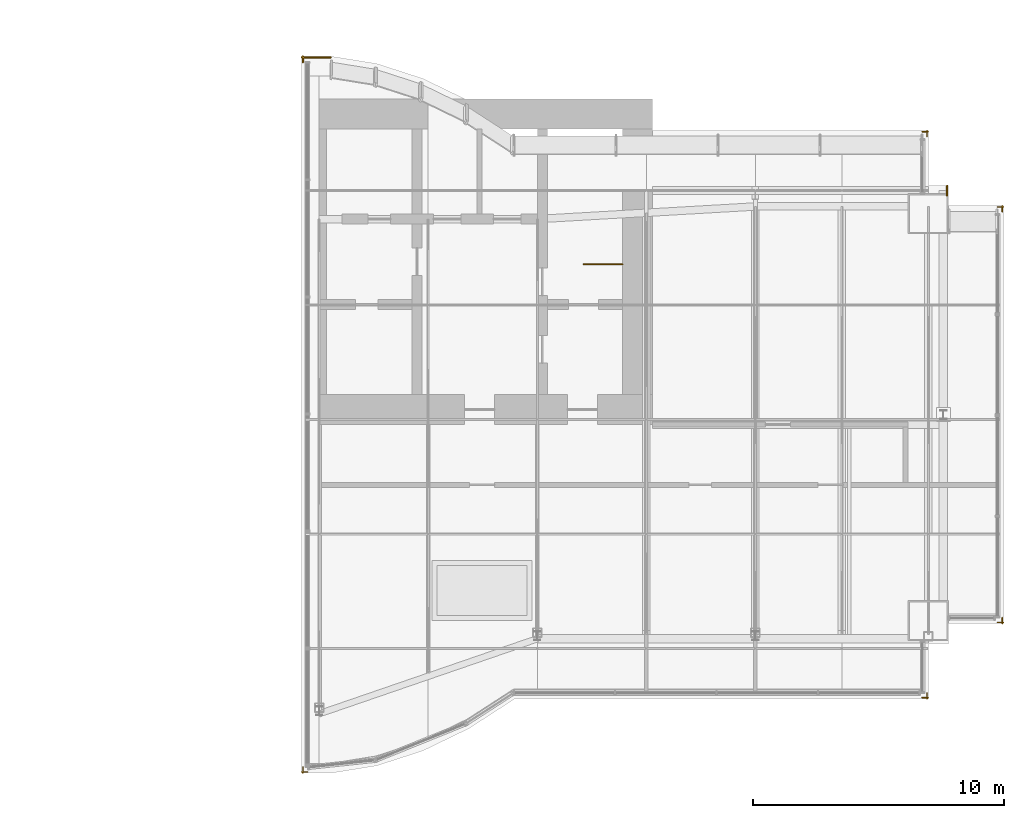
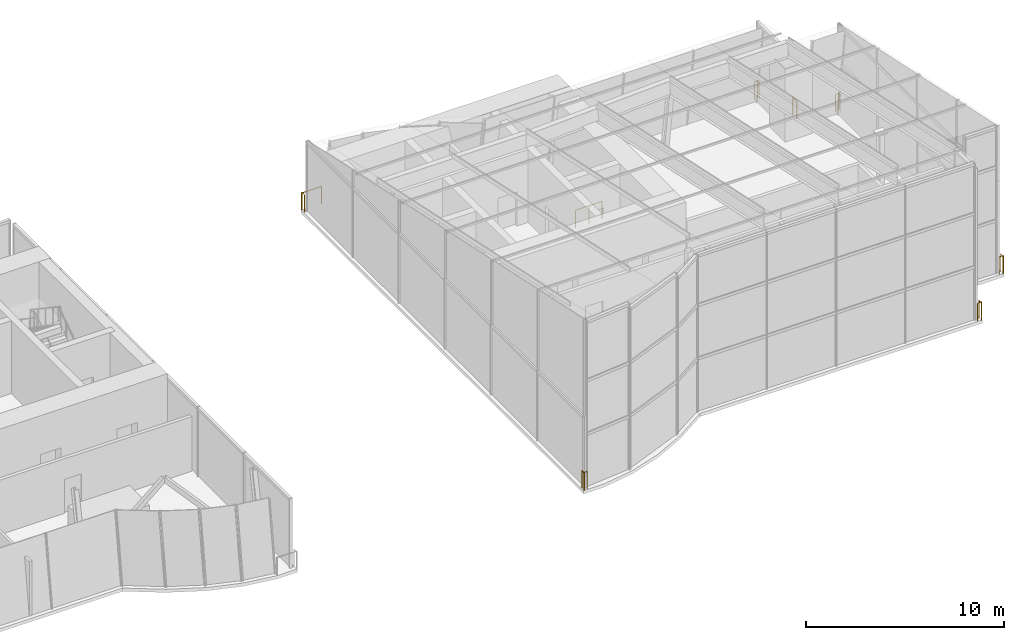
# One storey, part 16 of 17: 8 railings.
"""IFC4 building model written with IfcOpenShell, lengths in metres."""

from ifc_helpers import new_model, si_unit, direction, frame, origin, origin_2d, place, context, subcontext, project, spatial, circle, extrude, material, type_object, element, save


model = new_model("IFC4")

# Units and contexts
model_context = context("Model", 3, precision=1e-05, world=origin(), true_north=direction((0.0, 1.0)))
body_context = subcontext(model_context, "Body", "Model", "MODEL_VIEW")
ifc_project = project(units=[si_unit("LENGTHUNIT", "METRE"), si_unit("AREAUNIT", "SQUARE_METRE"), si_unit("VOLUMEUNIT", "CUBIC_METRE"), si_unit("PLANEANGLEUNIT", "RADIAN"), si_unit("MASSUNIT", "GRAM", prefix="KILO")], contexts=[model_context])

# Site, building, storey
site_placement = place(None, origin())
site = spatial("IfcSite", under=ifc_project, at=site_placement, CompositionType="ELEMENT")
building_placement = place(site_placement, origin())
building = spatial("IfcBuilding", under=site, at=building_placement, Name="Bicima Exchange Tower", CompositionType="ELEMENT")
storey_placement = place(building_placement, frame((0.0, 0.0, 356.89990234375)))
storey = spatial("IfcBuildingStorey", under=building, at=storey_placement, Name="L80", CompositionType="ELEMENT", Elevation=356.89990234375)

# Railings
ifc_material_1 = material(Name="Stainless steel and bonded safety glass", Category="steel")
railing_type_1 = type_object("IfcRailingType", Name="Edge guard 1100", PredefinedType="GUARDRAIL", material=ifc_material_1)
railing_1_placement = place(storey_placement, frame((32.7509765625, -1.31494140625, 0.0)))
element("IfcRailing", 1, at=railing_1_placement, inside=storey, type_object=railing_type_1, Name="Edge guard L80 431", PredefinedType="GUARDRAIL", context=body_context, shape_type="SweptSolid", body=[
    extrude(circle(Radius=0.02392578125, at=origin_2d()), frame((0.0, 0.0, 1.076171875), z_axis=(1.0, 0.0, 0.0), x_axis=(0.0, 1.0, 0.0)), (0.0, 0.0, 1.0), 0.2490234375),
    extrude(circle(Radius=0.02392578125, at=origin_2d()), frame((0.2490234375, 0.0, 1.076171875), z_axis=(-0.707106781187, 0.707106781187, 0.0), x_axis=(-0.707106781187, -0.707106781187, 0.0)), (0.0, 0.0, 1.0), 0.07080078125),
    extrude(circle(Radius=0.02392578125, at=origin_2d()), frame((0.198974609375, 0.050048828125, 1.076171875), z_axis=(0.0, -1.0, 0.0), x_axis=(1.0, 0.0, 0.0)), (0.0, 0.0, 1.0), 0.244140625),
    extrude(circle(Radius=0.02099609375, at=origin_2d()), origin(), (0.0, 0.0, 1.0), 1.052001953125),
    extrude(circle(Radius=0.02099609375, at=origin_2d()), frame((0.2490234375, 0.0, 0.0)), (0.0, 0.0, 1.0), 1.052001953125),
    extrude(circle(Radius=0.02099609375, at=origin_2d()), frame((0.198974609375, 0.050048828125, 0.0)), (0.0, 0.0, 1.0), 1.052001953125),
    extrude(circle(Radius=0.02099609375, at=origin_2d()), frame((0.198974609375, -0.194091796875, 0.0)), (0.0, 0.0, 1.0), 1.052001953125),
])
railing_2_placement = place(storey_placement, frame((33.75, -3.465087890625, 0.0)))
element("IfcRailing", 2, at=railing_2_placement, inside=storey, type_object=railing_type_1, Name="Edge guard L80 432", PredefinedType="GUARDRAIL", context=body_context, shape_type="SweptSolid", body=[
    extrude(circle(Radius=0.02392578125, at=origin_2d()), frame((0.0, 0.0, 1.076171875), z_axis=(0.0, -1.0, 0.0), x_axis=(1.0, 0.0, 0.0)), (0.0, 0.0, 1.0), 0.39990234375),
    extrude(circle(Radius=0.02099609375, at=origin_2d()), origin(), (0.0, 0.0, 1.0), 1.052001953125),
    extrude(circle(Radius=0.02099609375, at=origin_2d()), frame((0.0, -0.39990234375, 0.0)), (0.0, 0.0, 1.0), 1.052001953125),
])
railing_3_placement = place(storey_placement, frame((35.756103515625, -4.31494140625, 0.0)))
element("IfcRailing", 3, at=railing_3_placement, inside=storey, type_object=railing_type_1, Name="Edge guard L80 433", PredefinedType="GUARDRAIL", context=body_context, shape_type="SweptSolid", body=[
    extrude(circle(Radius=0.02392578125, at=origin_2d()), frame((0.0, 0.0, 1.076171875), z_axis=(1.0, 0.0, 0.0), x_axis=(0.0, 1.0, 0.0)), (0.0, 0.0, 1.0), 0.243896484375),
    extrude(circle(Radius=0.02392578125, at=origin_2d()), frame((0.243896484375, 0.0, 1.076171875), z_axis=(-0.707106781187, 0.707106781187, 0.0), x_axis=(-0.707106781187, -0.707106781187, 0.0)), (0.0, 0.0, 1.0), 0.07080078125),
    extrude(circle(Radius=0.02392578125, at=origin_2d()), frame((0.19384765625, 0.050048828125, 1.076171875), z_axis=(0.0, -1.0, 0.0), x_axis=(1.0, 0.0, 0.0)), (0.0, 0.0, 1.0), 0.2490234375),
    extrude(circle(Radius=0.02099609375, at=origin_2d()), origin(), (0.0, 0.0, 1.0), 1.052001953125),
    extrude(circle(Radius=0.02099609375, at=origin_2d()), frame((0.243896484375, 0.0, 0.0)), (0.0, 0.0, 1.0), 1.052001953125),
    extrude(circle(Radius=0.02099609375, at=origin_2d()), frame((0.19384765625, 0.050048828125, 0.0)), (0.0, 0.0, 1.0), 1.052001953125),
    extrude(circle(Radius=0.02099609375, at=origin_2d()), frame((0.19384765625, -0.198974609375, 0.0)), (0.0, 0.0, 1.0), 1.052001953125),
])
railing_4_placement = place(storey_placement, frame((35.949951171875, -20.695068359375, 0.0)))
element("IfcRailing", 4, at=railing_4_placement, inside=storey, type_object=railing_type_1, Name="Edge guard L80 434", PredefinedType="GUARDRAIL", context=body_context, shape_type="SweptSolid", body=[
    extrude(circle(Radius=0.02392578125, at=origin_2d()), frame((0.0, 0.0, 1.076171875), z_axis=(0.0, -1.0, 0.0), x_axis=(1.0, 0.0, 0.0)), (0.0, 0.0, 1.0), 0.2490234375),
    extrude(circle(Radius=0.02392578125, at=origin_2d()), frame((0.0, -0.2490234375, 1.076171875), z_axis=(0.707106781187, 0.707106781187, 0.0), x_axis=(-0.707106781187, 0.707106781187, 0.0)), (0.0, 0.0, 1.0), 0.07080078125),
    extrude(circle(Radius=0.02392578125, at=origin_2d()), frame((0.050048828125, -0.198974609375, 1.076171875), z_axis=(-1.0, 0.0, 0.0), x_axis=(0.0, -1.0, 0.0)), (0.0, 0.0, 1.0), 0.243896484375),
    extrude(circle(Radius=0.02099609375, at=origin_2d()), origin(), (0.0, 0.0, 1.0), 1.052001953125),
    extrude(circle(Radius=0.02099609375, at=origin_2d()), frame((0.0, -0.2490234375, 0.0)), (0.0, 0.0, 1.0), 1.052001953125),
    extrude(circle(Radius=0.02099609375, at=origin_2d()), frame((0.050048828125, -0.198974609375, 0.0)), (0.0, 0.0, 1.0), 1.052001953125),
    extrude(circle(Radius=0.02099609375, at=origin_2d()), frame((-0.19384765625, -0.198974609375, 0.0)), (0.0, 0.0, 1.0), 1.052001953125),
])
railing_5_placement = place(storey_placement, frame((32.949951171875, -23.699951171875, 0.0)))
element("IfcRailing", 5, at=railing_5_placement, inside=storey, type_object=railing_type_1, Name="Edge guard L80 435", PredefinedType="GUARDRAIL", context=body_context, shape_type="SweptSolid", body=[
    extrude(circle(Radius=0.02392578125, at=origin_2d()), frame((0.0, 0.0, 1.076171875), z_axis=(0.0, -1.0, 0.0), x_axis=(1.0, 0.0, 0.0)), (0.0, 0.0, 1.0), 0.244140625),
    extrude(circle(Radius=0.02392578125, at=origin_2d()), frame((0.0, -0.244140625, 1.076171875), z_axis=(0.707106781187, 0.707106781187, 0.0), x_axis=(-0.707106781187, 0.707106781187, 0.0)), (0.0, 0.0, 1.0), 0.07080078125),
    extrude(circle(Radius=0.02392578125, at=origin_2d()), frame((0.050048828125, -0.194091796875, 1.076171875), z_axis=(-1.0, 0.0, 0.0), x_axis=(0.0, -1.0, 0.0)), (0.0, 0.0, 1.0), 0.25),
    extrude(circle(Radius=0.02099609375, at=origin_2d()), origin(), (0.0, 0.0, 1.0), 1.052001953125),
    extrude(circle(Radius=0.02099609375, at=origin_2d()), frame((0.0, -0.244140625, 0.0)), (0.0, 0.0, 1.0), 1.052001953125),
    extrude(circle(Radius=0.02099609375, at=origin_2d()), frame((0.050048828125, -0.194091796875, 0.0)), (0.0, 0.0, 1.0), 1.052001953125),
    extrude(circle(Radius=0.02099609375, at=origin_2d()), frame((-0.199951171875, -0.194091796875, 0.0)), (0.0, 0.0, 1.0), 1.052001953125),
])
railing_6_placement = place(storey_placement, frame((8.23291015625, -26.85693359375, 0.0)))
element("IfcRailing", 6, at=railing_6_placement, inside=storey, type_object=railing_type_1, Name="Edge guard L80 436", PredefinedType="GUARDRAIL", context=body_context, shape_type="SweptSolid", body=[
    extrude(circle(Radius=0.02392578125, at=origin_2d()), frame((0.0, 0.0, 1.076171875), z_axis=(-1.0, 0.0, 0.0), x_axis=(0.0, -1.0, 0.0)), (0.0, 0.0, 1.0), 0.23291015625),
    extrude(circle(Radius=0.02392578125, at=origin_2d()), frame((-0.23291015625, 0.0, 1.076171875), z_axis=(0.707106781187, -0.707106781187, 0.0), x_axis=(0.707106781187, 0.707106781187, 0.0)), (0.0, 0.0, 1.0), 0.07080078125),
    extrude(circle(Radius=0.02392578125, at=origin_2d()), frame((-0.182861328125, -0.050048828125, 1.076171875), z_axis=(0.0, 1.0, 0.0), x_axis=(-1.0, 0.0, 0.0)), (0.0, 0.0, 1.0), 0.2490234375),
    extrude(circle(Radius=0.02099609375, at=origin_2d()), origin(), (0.0, 0.0, 1.0), 1.052001953125),
    extrude(circle(Radius=0.02099609375, at=origin_2d()), frame((-0.23291015625, 0.0, 0.0)), (0.0, 0.0, 1.0), 1.052001953125),
    extrude(circle(Radius=0.02099609375, at=origin_2d()), frame((-0.182861328125, -0.050048828125, 0.0)), (0.0, 0.0, 1.0), 1.052001953125),
    extrude(circle(Radius=0.02099609375, at=origin_2d()), frame((-0.182861328125, 0.198974609375, 0.0)), (0.0, 0.0, 1.0), 1.052001953125),
])
railing_7_placement = place(storey_placement, frame((8.050048828125, 1.448974609375, 0.0)))
element("IfcRailing", 7, at=railing_7_placement, inside=storey, type_object=railing_type_1, Name="Edge guard L80 437", PredefinedType="GUARDRAIL", context=body_context, shape_type="SweptSolid", body=[
    extrude(circle(Radius=0.02392578125, at=origin_2d()), frame((0.0, 0.0, 1.076171875), z_axis=(0.0, 1.0, 0.0), x_axis=(-1.0, 0.0, 0.0)), (0.0, 0.0, 1.0), 0.2490234375),
    extrude(circle(Radius=0.02392578125, at=origin_2d()), frame((0.0, 0.2490234375, 1.076171875), z_axis=(-0.707106781187, -0.707106781187, 0.0), x_axis=(0.707106781187, -0.707106781187, 0.0)), (0.0, 0.0, 1.0), 0.07080078125),
    extrude(circle(Radius=0.02392578125, at=origin_2d()), frame((-0.050048828125, 0.198974609375, 1.076171875), z_axis=(1.0, 0.0, 0.0), x_axis=(0.0, 1.0, 0.0)), (0.0, 0.0, 1.0), 1.1669921875),
    extrude(circle(Radius=0.02099609375, at=origin_2d()), origin(), (0.0, 0.0, 1.0), 1.052001953125),
    extrude(circle(Radius=0.02099609375, at=origin_2d()), frame((0.0, 0.2490234375, 0.0)), (0.0, 0.0, 1.0), 1.052001953125),
    extrude(circle(Radius=0.02099609375, at=origin_2d()), frame((-0.050048828125, 0.198974609375, 0.0)), (0.0, 0.0, 1.0), 1.052001953125),
    extrude(circle(Radius=0.02099609375, at=origin_2d()), frame((1.116943359375, 0.198974609375, 0.0)), (0.0, 0.0, 1.0), 1.052001953125),
])
ifc_material_2 = material(Name="Stainless steel", Category="steel")
railing_type_2 = type_object("IfcRailingType", Name="Stair guard 1100", PredefinedType="GUARDRAIL", material=ifc_material_2)
railing_8_placement = place(storey_placement, frame((20.800048828125, -6.60009765625, 0.0)))
element("IfcRailing", 8, at=railing_8_placement, inside=storey, type_object=railing_type_2, Name="L80 ST-E top well guard 1", PredefinedType="GUARDRAIL", context=body_context, shape_type="SweptSolid", body=[
    extrude(circle(Radius=0.02392578125, at=origin_2d()), frame((0.0, 0.0, 1.076171875), z_axis=(-1.0, 0.0, 0.0), x_axis=(0.0, -1.0, 0.0)), (0.0, 0.0, 1.0), 1.550048828125),
    extrude(circle(Radius=0.02099609375, at=origin_2d()), origin(), (0.0, 0.0, 1.0), 1.052001953125),
    extrude(circle(Radius=0.02099609375, at=origin_2d()), frame((-0.77490234375, 0.0, 0.0)), (0.0, 0.0, 1.0), 1.052001953125),
    extrude(circle(Radius=0.02099609375, at=origin_2d()), frame((-1.550048828125, 0.0, 0.0)), (0.0, 0.0, 1.0), 1.052001953125),
])

save(model, "model.ifc")
